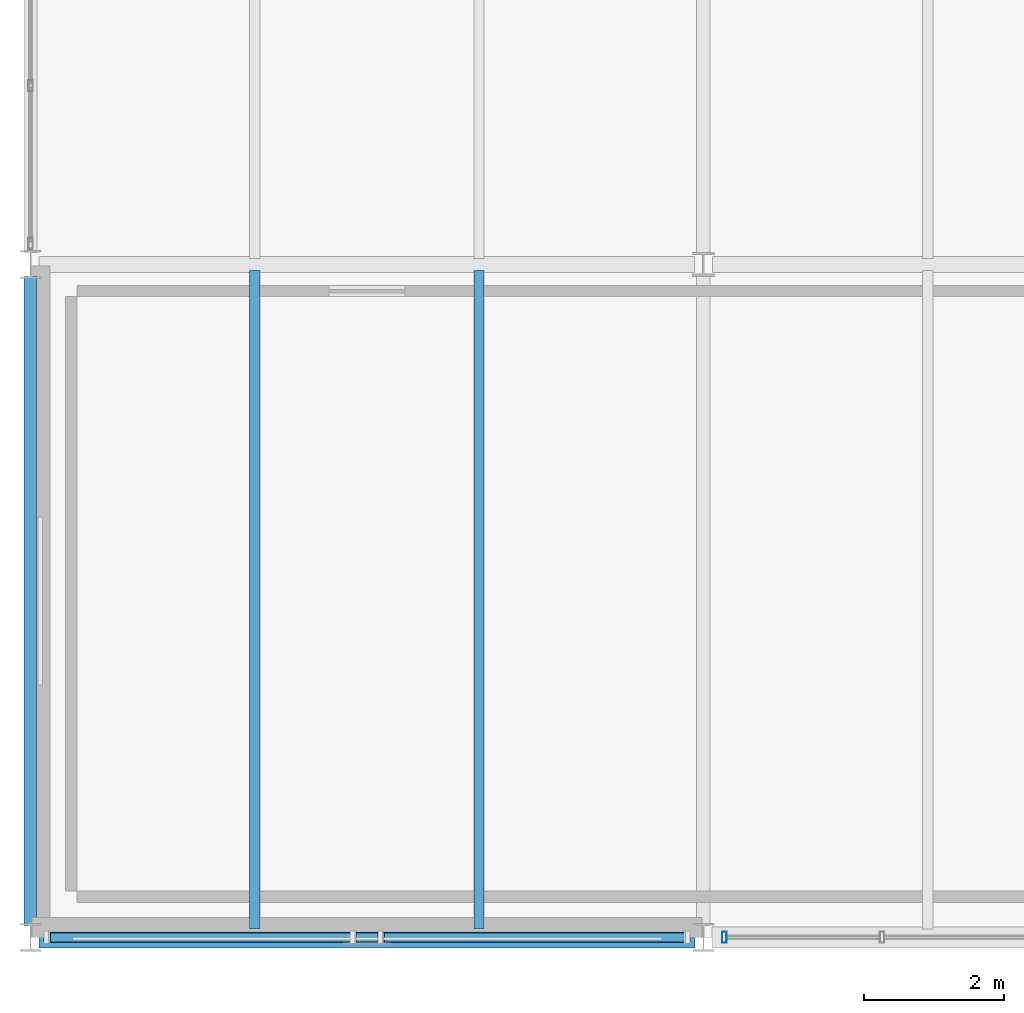
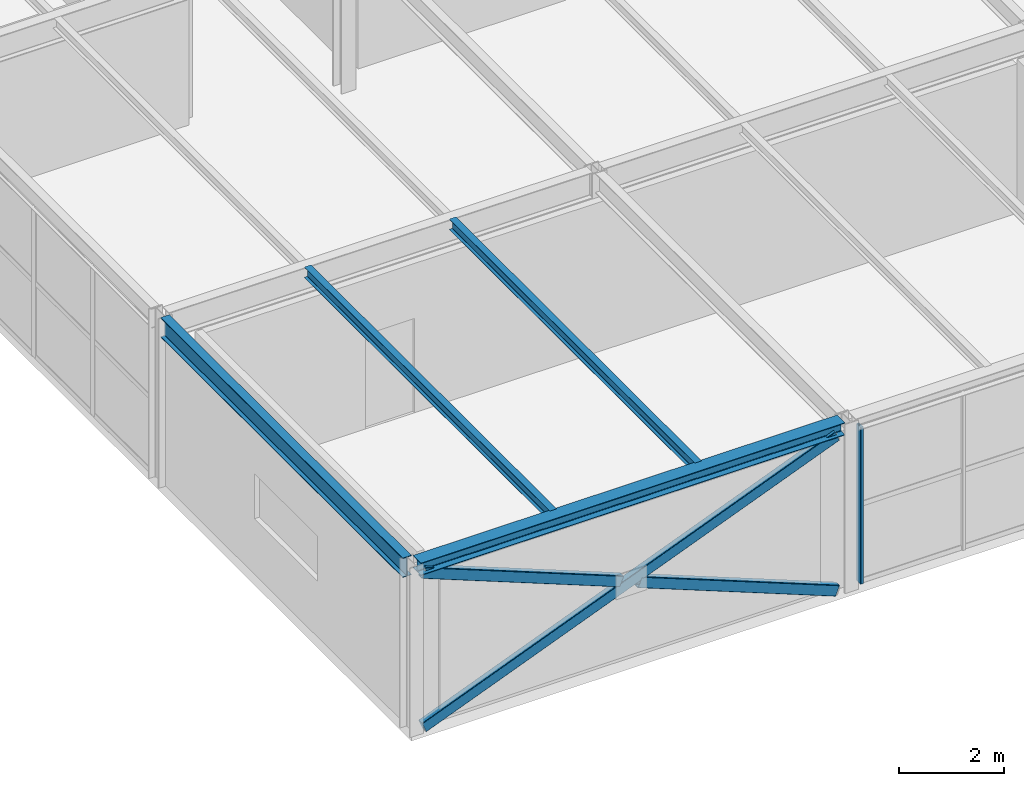
# One storey, part 9 of 126: 4 beams, 4 members, 1 element without a shape of its own.
"""IFC4 building model written with IfcOpenShell, lengths in metres."""

from ifc_helpers import new_model, si_unit, direction, frame, origin, origin_2d, place, context, subcontext, project, spatial, hollow_rectangle, i_section, extrude, material, material_profile, profile_set, type_object, element, aggregate, save


model = new_model("IFC4")

# Units and contexts
model_context = context("Model", 3, precision=1e-05, world=origin(), true_north=direction((0.0, 1.0)))
body_context = subcontext(model_context, "Body", "Model", "MODEL_VIEW")
ifc_project = project(units=[si_unit("LENGTHUNIT", "METRE"), si_unit("AREAUNIT", "SQUARE_METRE"), si_unit("VOLUMEUNIT", "CUBIC_METRE"), si_unit("PLANEANGLEUNIT", "RADIAN"), si_unit("MASSUNIT", "GRAM", prefix="KILO")], contexts=[model_context])

# Site, building, storey
site_placement = place(None, origin())
site = spatial("IfcSite", under=ifc_project, at=site_placement, CompositionType="ELEMENT")
building_placement = place(site_placement, origin())
building = spatial("IfcBuilding", under=site, at=building_placement, Name="Coralgate Yard Interchange", CompositionType="ELEMENT")
storey_placement = place(building_placement, frame((0.0, 0.0, 10.5)))
storey = spatial("IfcBuildingStorey", under=building, at=storey_placement, Name="L02", CompositionType="ELEMENT", Elevation=10.5)

# Beams
ifc_material_1 = material(Name="Structural steel S355J2", Category="steel")
ifc_material_profile_1 = material_profile(ifc_material_1, i_section(OverallWidth=0.1904296875, OverallDepth=0.45703125, WebThickness=0.009033203125, FlangeThickness=0.014404296875, FilletRadius=0.01025390625, at=origin_2d()), Name="UB 457x191x74")
ifc_profile_set_1 = profile_set([ifc_material_profile_1], Name="Structural steel S355J2")
beam_type_1 = type_object("IfcBeamType", Name="BM-SB-2", PredefinedType="BEAM", material=ifc_profile_set_1)
beam_1_placement = place(storey_placement, frame((0.0, 0.169921875, 3.721435546875), z_axis=(0.0, 1.0, 0.0), x_axis=(-1.0, 0.0, 0.0)))
element("IfcBeam", 1, at=beam_1_placement, inside=storey, type_object=beam_type_1, Name="L02 primary grid girder X0 Y0-1", PredefinedType="BEAM", context=body_context, shape_type="SweptSolid", body=[
    extrude(i_section(OverallWidth=0.1904296875, OverallDepth=0.45703125, WebThickness=0.009033203125, FlangeThickness=0.014404296875, FilletRadius=0.01025390625, at=origin_2d()), origin(), (0.0, 0.0, 1.0), 9.260009765625),
])
ifc_material_profile_2 = material_profile(ifc_material_1, i_section(OverallWidth=0.14599609375, OverallDepth=0.25146484375, WebThickness=0.006103515625, FlangeThickness=0.008544921875, FilletRadius=0.007568359375, at=origin_2d()), Name="UB 254x146x31")
ifc_profile_set_2 = profile_set([ifc_material_profile_2], Name="Structural steel S355J2")
beam_type_2 = type_object("IfcBeamType", Name="BM-SJ-2", PredefinedType="JOIST", material=ifc_profile_set_2)
for number, where, z_axis, x_axis, name in (
    (2, (3.199951171875, 0.1201171875, 3.82421875), (0.0, 1.0, 0.0), (-1.0, 0.0, 0.0), "L02 composite floor joist 0-0-1"),
    (3, (6.39990234375, 0.1201171875, 3.82421875), (0.0, 1.0, 0.0), (-1.0, 0.0, 0.0), "L02 composite floor joist 0-0-2"),
):
    element("IfcBeam", number, at=place(storey_placement, frame(where, z_axis=z_axis, x_axis=x_axis)), inside=storey, type_object=beam_type_2, Name=name, PredefinedType="JOIST", context=body_context, shape_type="SweptSolid", body=[
        extrude(i_section(OverallWidth=0.14599609375, OverallDepth=0.25146484375, WebThickness=0.006103515625, FlangeThickness=0.008544921875, FilletRadius=0.007568359375, at=origin_2d()), origin(), (0.0, 0.0, 1.0), 9.395751953125),
    ])
ifc_material_profile_3 = material_profile(ifc_material_1, i_section(OverallWidth=0.300048828125, OverallDepth=0.2900390625, WebThickness=0.008544921875, FlangeThickness=0.013916015625, FilletRadius=0.027099609375, at=origin_2d()), Name="HEA 300")
ifc_profile_set_3 = profile_set([ifc_material_profile_3], Name="Structural steel S355J2")
beam_type_3 = type_object("IfcBeamType", Name="BM-SP-2", PredefinedType="SPANDREL", material=ifc_profile_set_3)
beam_2_placement = place(storey_placement, frame((0.1201171875, 0.0, 3.804931640625), z_axis=(1.0, 0.0, 0.0), x_axis=(0.0, 1.0, 0.0)))
element("IfcBeam", 4, at=beam_2_placement, inside=storey, type_object=beam_type_3, Name="L02 primary grid beam Y0 X0-1", PredefinedType="SPANDREL", context=body_context, shape_type="SweptSolid", body=[
    extrude(i_section(OverallWidth=0.300048828125, OverallDepth=0.2900390625, WebThickness=0.008544921875, FlangeThickness=0.013916015625, FilletRadius=0.027099609375, at=origin_2d()), origin(), (0.0, 0.0, 1.0), 9.35986328125),
])

# Members
ifc_material_profile_4 = material_profile(ifc_material_1, hollow_rectangle(XDim=0.14990234375, YDim=0.25, WallThickness=0.010009765625, InnerFilletRadius=0.010009765625, OuterFilletRadius=0.02001953125, at=origin_2d()), Name="RHS 250x150x10")
ifc_profile_set_4 = profile_set([ifc_material_profile_4], Name="Structural steel S355J2")
member_type_1 = type_object("IfcMemberType", Name="MB-BR-3", PredefinedType="BRACE", material=ifc_profile_set_4)
member_1_placement = place(storey_placement, frame((0.239990234375, 0.0, 0.02001953125), z_axis=(0.929813001361, 0.0, 0.368032311761), x_axis=(0.0, 1.0, 0.0)))
element("IfcMember", 5, at=member_1_placement, inside=storey, type_object=member_type_1, Name="L02 continuous concentric X-brace S-A", PredefinedType="BRACE", context=body_context, shape_type="SweptSolid", body=[
    extrude(hollow_rectangle(XDim=0.14990234375, YDim=0.25, WallThickness=0.010009765625, InnerFilletRadius=0.010009765625, OuterFilletRadius=0.02001953125, at=origin_2d()), origin(), (0.0, 0.0, 1.0), 9.80859375),
])
for number, where, z_axis, x_axis, name in (
    (6, (9.360107421875, 0.0, 0.02001953125), (-0.929818503348, 0.0, 0.368018410995), (0.0, -1.0, 0.0), "L02 split concentric X-brace S-B1"),
    (7, (4.595458984375, 0.0, 1.906005859375), (-0.929818503348, 0.0, 0.368018410995), (0.0, -1.0, 0.0), "L02 split concentric X-brace S-B2"),
):
    element("IfcMember", number, at=place(storey_placement, frame(where, z_axis=z_axis, x_axis=x_axis)), inside=storey, type_object=member_type_1, Name=name, PredefinedType="BRACE", context=body_context, shape_type="SweptSolid", body=[
        extrude(hollow_rectangle(XDim=0.14990234375, YDim=0.25, WallThickness=0.010009765625, InnerFilletRadius=0.010009765625, OuterFilletRadius=0.02001953125, at=origin_2d()), origin(), (0.0, 0.0, 1.0), 4.684326171875),
    ])

# Curtain wall, member
ifc_material_2 = material(Name="Anodised coastal aluminium and solar-control low-E glass", Category="aluminium")
curtain_wall_type = type_object("IfcCurtainWallType", Name="CW-CW-L02-A", PredefinedType="NOTDEFINED", material=ifc_material_2)
curtain_wall_placement = place(storey_placement, origin())
curtain_wall = element("IfcCurtainWall", 8, at=curtain_wall_placement, inside=storey, type_object=curtain_wall_type, Name="L02 unitised curtain wall CW-L02-S-01-00", PredefinedType="NOTDEFINED")
ifc_material_3 = material(Name="Anodised coastal aluminium 6063-T6", Category="aluminium")
ifc_material_profile_5 = material_profile(ifc_material_3, hollow_rectangle(XDim=0.06494140625, YDim=0.159912109375, WallThickness=0.00390625, InnerFilletRadius=0.00390625, OuterFilletRadius=0.008056640625, at=origin_2d()), Name="ALU 65x160x4")
ifc_profile_set_5 = profile_set([ifc_material_profile_5], Name="Anodised coastal aluminium 6063-T6")
member_type_2 = type_object("IfcMemberType", Name="MB-MUL-160", PredefinedType="MULLION", material=ifc_profile_set_5)
member_2_placement = place(storey_placement, frame((9.89990234375, 0.0, 0.0), z_axis=(0.0, 0.0, 1.0), x_axis=(1.0, 0.0, 0.0)))
member_2 = element("IfcMember", 9, at=member_2_placement, type_object=member_type_2, Name="CW-L02-S-01-00 vertical mullion 5", PredefinedType="MULLION", context=body_context, shape_type="SweptSolid", body=[
    extrude(hollow_rectangle(XDim=0.06494140625, YDim=0.159912109375, WallThickness=0.00390625, InnerFilletRadius=0.00390625, OuterFilletRadius=0.008056640625, at=origin_2d()), origin(), (0.0, 0.0, 1.0), 3.659912109375),
])
aggregate(curtain_wall, [member_2])

save(model, "model.ifc")
